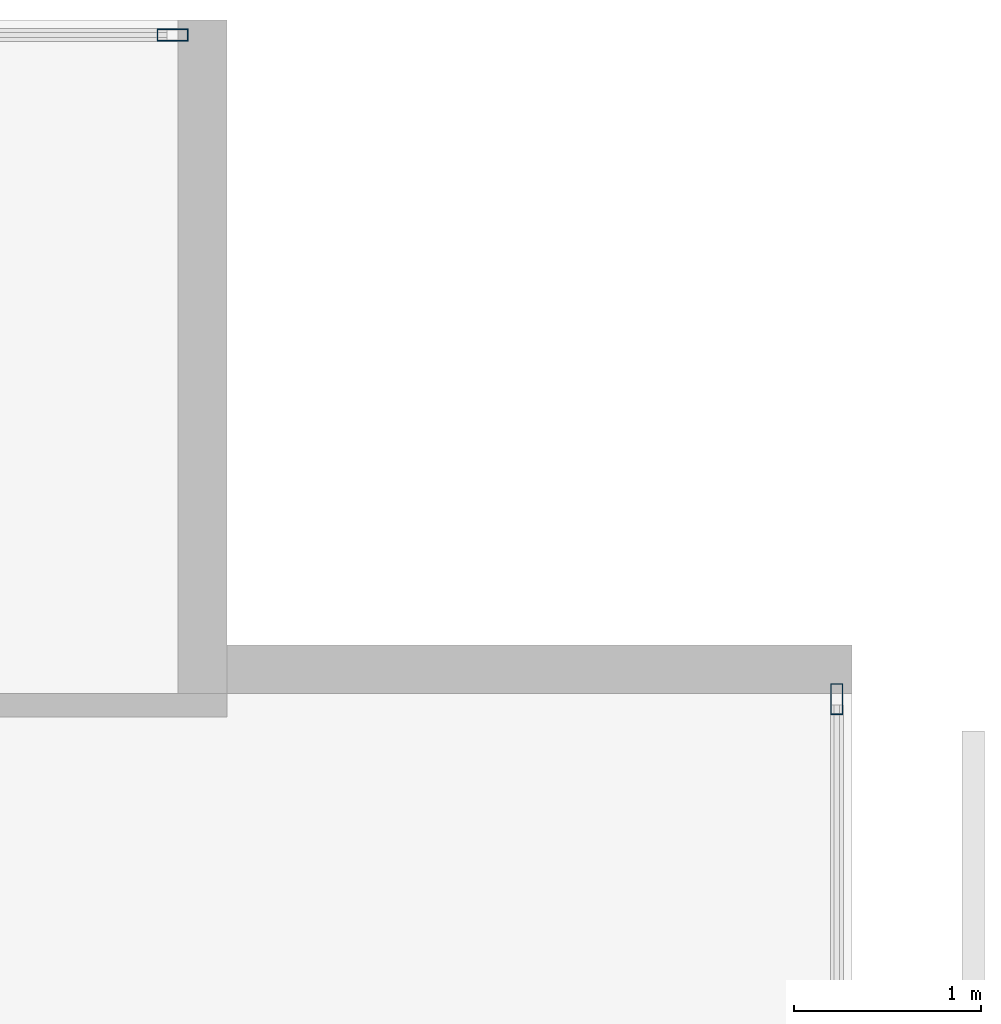
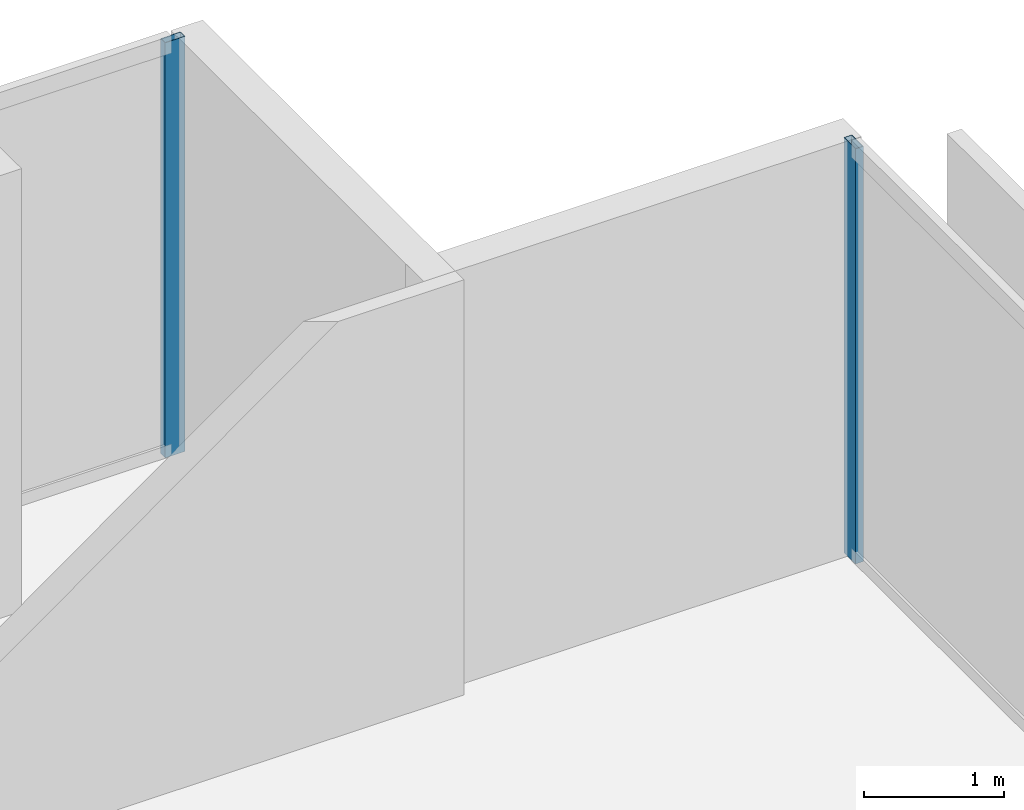
# One storey, part 31 of 40: 2 members, 2 elements without a shape of their own.
"""IFC4 building model written with IfcOpenShell, lengths in metres."""

from ifc_helpers import new_model, si_unit, direction, frame, origin, origin_2d, place, context, subcontext, project, spatial, hollow_rectangle, extrude, material, layer, layer_set, material_profile, profile_set, type_object, element, aggregate, save


model = new_model("IFC4")

# Units and contexts
model_context = context("Model", 3, precision=1e-05, world=origin(), true_north=direction((0.0, 1.0)))
body_context = subcontext(model_context, "Body", "Model", "MODEL_VIEW")
ifc_project = project(units=[si_unit("LENGTHUNIT", "METRE"), si_unit("AREAUNIT", "SQUARE_METRE"), si_unit("VOLUMEUNIT", "CUBIC_METRE"), si_unit("PLANEANGLEUNIT", "RADIAN"), si_unit("MASSUNIT", "GRAM", prefix="KILO")], contexts=[model_context])

# Site, building, storey
site_placement = place(None, origin())
site = spatial("IfcSite", under=ifc_project, at=site_placement, CompositionType="ELEMENT")
building_placement = place(site_placement, origin())
building = spatial("IfcBuilding", under=site, at=building_placement, Name="Maruvema Waterfront Hotel and Observation Tower", CompositionType="ELEMENT")
storey_placement = place(building_placement, frame((0.0, 0.0, 77.0)))
storey = spatial("IfcBuildingStorey", under=building, at=storey_placement, Name="L18", CompositionType="ELEMENT", Elevation=77.0)

# Curtain wall, member
ifc_material_1 = material(Name="Anodised bronze aluminium and solar-control low-E IGU", Category="aluminium")
ifc_layer = layer(ifc_material_1, 0.159912109375, Name="Zone 1 Bronze Inner Thermal Curtain Wall System CW-02")
ifc_layer_set = layer_set([ifc_layer], Name="Anodised bronze aluminium and solar-control low-E IGU")
curtain_wall_type = type_object("IfcCurtainWallType", Name="Zone 1 Bronze Inner Thermal Curtain Wall System CW-02", PredefinedType="USERDEFINED", material=ifc_layer_set)
curtain_wall_1_placement = place(storey_placement, origin())
curtain_wall_1 = element("IfcCurtainWall", 1, at=curtain_wall_1_placement, inside=storey, type_object=curtain_wall_type, Name="L18 Curtain Wall CW-L18-E", ObjectType="UNITISED CURTAIN WALL", PredefinedType="USERDEFINED")
ifc_material_2 = material(Name="Anodised architectural bronze aluminium", Category="aluminium")
ifc_material_profile = material_profile(ifc_material_2, hollow_rectangle(XDim=0.06494140625, YDim=0.1650390625, WallThickness=0.00390625, at=origin_2d()), Name="ALU-M65x165")
ifc_profile_set = profile_set([ifc_material_profile], Name="Anodised architectural bronze aluminium")
member_type = type_object("IfcMemberType", Name="Curtain Wall Primary Mullion ALU-M65x165", PredefinedType="MULLION", material=ifc_profile_set)
member_1_placement = place(storey_placement, frame((64.719970703125, 50.3701171875, 0.0), z_axis=(0.0, 0.0, 1.0), x_axis=(-1.0, 0.0, 0.0)))
member_1 = element("IfcMember", 2, at=member_1_placement, type_object=member_type, Name="CW-02 mullion 7", PredefinedType="MULLION", context=body_context, shape_type="SweptSolid", body=[
    extrude(hollow_rectangle(XDim=0.06494140625, YDim=0.1650390625, WallThickness=0.00390625, at=origin_2d()), origin(), (0.0, 0.0, 1.0), 3.610107421875),
])
aggregate(curtain_wall_1, [member_1])

curtain_wall_2_placement = place(storey_placement, origin())
curtain_wall_2 = element("IfcCurtainWall", 3, at=curtain_wall_2_placement, inside=storey, type_object=curtain_wall_type, Name="L18 Curtain Wall CW-L18-NE", ObjectType="UNITISED CURTAIN WALL", PredefinedType="USERDEFINED")
member_2_placement = place(storey_placement, frame((61.169921875, 53.919921875, 0.0), z_axis=(0.0, 0.0, 1.0), x_axis=(0.0, -1.0, 0.0)))
member_2 = element("IfcMember", 4, at=member_2_placement, type_object=member_type, Name="CW-02 mullion 1", PredefinedType="MULLION", context=body_context, shape_type="SweptSolid", body=[
    extrude(hollow_rectangle(XDim=0.06494140625, YDim=0.1650390625, WallThickness=0.00390625, at=origin_2d()), origin(), (0.0, 0.0, 1.0), 3.610107421875),
])
aggregate(curtain_wall_2, [member_2])

save(model, "model.ifc")
